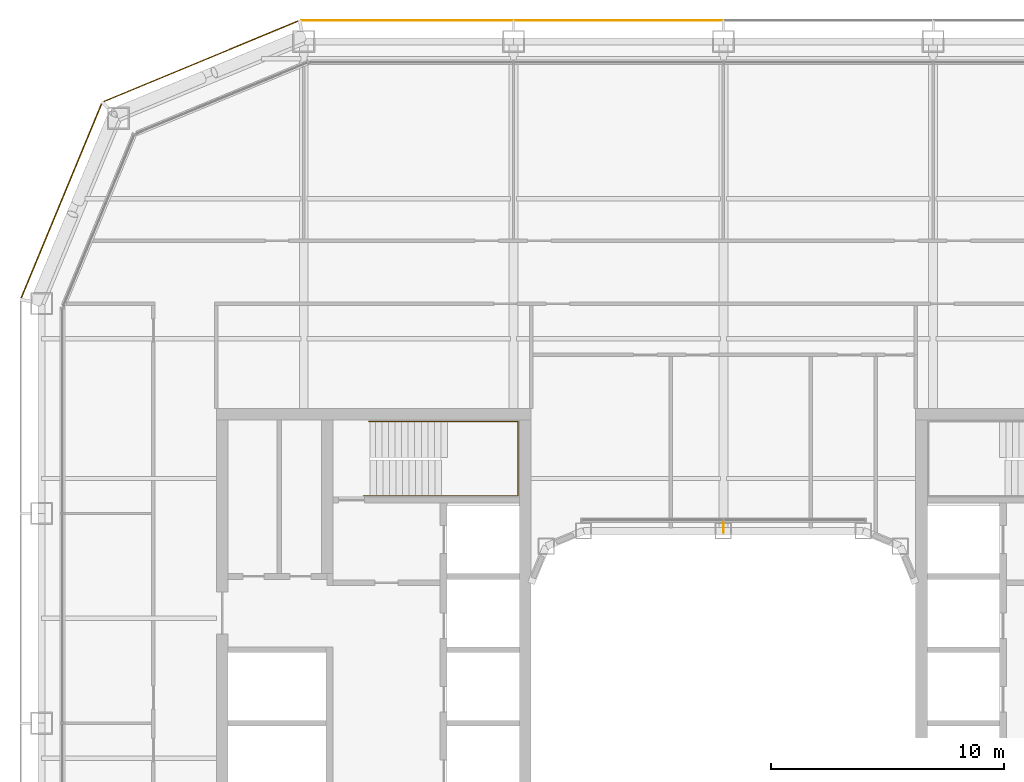
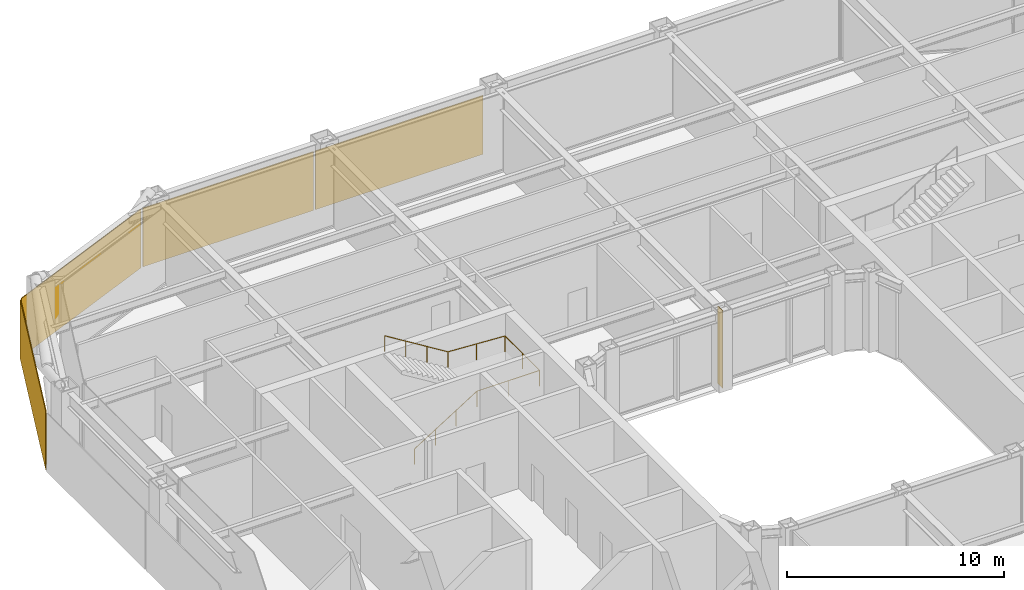
# One storey, part 20 of 21: 4 coverings, 1 railing, 1 shading device.
"""IFC4 building model written with IfcOpenShell, lengths in metres."""

import ifcopenshell
import ifcopenshell.guid

model = None  # the IFC model being written
_history = None  # IfcOwnerHistory: only IFC2X3 demands one
_inside = {}  # id of a spatial element -> (the spatial element, [elements in it])
_under = {}  # id of a project, library or spatial element -> (it, [spatial elements below it])
_declared = {}  # id of a project -> (the project, [libraries it declares])
_typed = {}  # id of a type object -> (the type object, [elements of that type])
_made_of = {}  # id of a material, layer set ... -> (it, [elements and type objects made of it])


def new_model(schema):
    """Start an empty IFC model of exactly this schema.

    Asked for "IFC4X3", IfcOpenShell would pick the latest addendum, in which some entities
    have other attributes; the version numbers below select the first issue.
    IFC2X3 requires an IfcOwnerHistory on every rooted entity: one is made here for all.
    """
    global model, _history
    if schema == "IFC4X3":
        model = ifcopenshell.file(schema_version=(4, 3, 0, 0))
    else:
        model = ifcopenshell.file(schema=schema)
    _inside.clear()
    _under.clear()
    _declared.clear()
    _typed.clear()
    _made_of.clear()
    _history = None
    if model.schema == "IFC2X3":
        org = make("IfcOrganization", Name="unknown")
        user = make(
            "IfcPersonAndOrganization",
            ThePerson=make("IfcPerson", FamilyName="unknown"),
            TheOrganization=org,
        )
        app = make(
            "IfcApplication",
            ApplicationDeveloper=org,
            Version="unknown",
            ApplicationFullName="unknown",
            ApplicationIdentifier="unknown",
        )
        _history = make(
            "IfcOwnerHistory",
            OwningUser=user,
            OwningApplication=app,
            ChangeAction="ADDED",
            CreationDate=0,
        )
    return model


def make(cls, **values):
    """One entity of the class cls with the attributes given. An attribute that is None is left unset."""
    return model.create_entity(
        cls, **{name: value for name, value in values.items() if value is not None}
    )


def rooted(cls, **values):
    """An entity with a GlobalId (a new one), such as an element, a storey or a relation."""
    return make(cls, GlobalId=ifcopenshell.guid.new(), OwnerHistory=_history, **values)


def si_unit(unit_type, name, prefix=None):
    """IfcSIUnit, for example si_unit("LENGTHUNIT", "METRE", prefix="MILLI")."""
    return make("IfcSIUnit", UnitType=unit_type, Prefix=prefix, Name=name)


def assignment(units):
    """IfcUnitAssignment: the units of a project."""
    return None if units is None else make("IfcUnitAssignment", Units=units)


def point(xyz):
    """IfcCartesianPoint."""
    return None if xyz is None else make("IfcCartesianPoint", Coordinates=xyz)


def direction(xyz):
    """IfcDirection."""
    return None if xyz is None else make("IfcDirection", DirectionRatios=xyz)


def frame(location, z_axis=None, x_axis=None):
    """IfcAxis2Placement3D, a coordinate frame: its origin and axes. An axis left out is left unset."""
    return make(
        "IfcAxis2Placement3D",
        Location=point(location),
        Axis=direction(z_axis),
        RefDirection=direction(x_axis),
    )


def frame_2d(location, x_axis=None):
    """IfcAxis2Placement2D, a coordinate frame in the plane: its origin and x axis."""
    return make(
        "IfcAxis2Placement2D", Location=point(location), RefDirection=direction(x_axis)
    )


def origin():
    """The frame at (0, 0, 0) with its axes left unset."""
    return frame((0.0, 0.0, 0.0))


def origin_2d():
    """The frame at (0, 0) in the plane with its x axis left unset."""
    return frame_2d((0.0, 0.0))


def place(relative_to, where):
    """IfcLocalPlacement: puts the frame where relative to a parent placement (None: the world)."""
    return make(
        "IfcLocalPlacement", PlacementRelTo=relative_to, RelativePlacement=where
    )


def context(
    kind, dimensions, precision=None, world=None, true_north=None, identifier=None
):
    """IfcGeometricRepresentationContext, for example the 3D "Model" context."""
    return make(
        "IfcGeometricRepresentationContext",
        ContextIdentifier=identifier,
        ContextType=kind,
        CoordinateSpaceDimension=dimensions,
        Precision=precision,
        WorldCoordinateSystem=world,
        TrueNorth=true_north,
    )


def subcontext(parent, identifier, kind, view, scale=None):
    """IfcGeometricRepresentationSubContext, for example "Body" below "Model"."""
    return make(
        "IfcGeometricRepresentationSubContext",
        ContextIdentifier=identifier,
        ContextType=kind,
        ParentContext=parent,
        TargetScale=scale,
        TargetView=view,
    )


def project(units=None, contexts=None):
    """IfcProject with its units and contexts."""
    return rooted(
        "IfcProject",
        Name="project",
        RepresentationContexts=contexts,
        UnitsInContext=assignment(units),
    )


def spatial(cls, under=None, at=None, **own):
    """A site, building, storey or space (cls), placed at a placement, below another one or the project."""
    s = rooted(cls, ObjectPlacement=at, **own)
    if under is not None:
        _under.setdefault(under.id(), (under, []))[1].append(s)
    return s


def profile(cls, at=None, kind="AREA", **sizes):
    """A parametric profile (cls). Its sizes go by their IFC names, for example OverallWidth=200.0."""
    return make(cls, ProfileType=kind, Position=at, **sizes)


def rectangle(**sizes):
    """IfcRectangleProfileDef."""
    return profile("IfcRectangleProfileDef", **sizes)


def circle(**sizes):
    """IfcCircleProfileDef."""
    return profile("IfcCircleProfileDef", **sizes)


def extrude(swept, where, along, depth):
    """IfcExtrudedAreaSolid: the profile swept, set in the frame where, extruded along a direction by depth."""
    return make(
        "IfcExtrudedAreaSolid",
        SweptArea=swept,
        Position=where,
        ExtrudedDirection=direction(along),
        Depth=depth,
    )


def shape(context_of_items, identifier, shape_type, items):
    """IfcShapeRepresentation: the items that make up one representation, for example the "Body"."""
    return make(
        "IfcShapeRepresentation",
        ContextOfItems=context_of_items,
        RepresentationIdentifier=identifier,
        RepresentationType=shape_type,
        Items=items,
    )


def material(Name=None, Category=None):
    """IfcMaterial."""
    return make("IfcMaterial", Name=Name, Category=Category)


def layer(
    of_material, thickness, ventilated=None, Name=None, Category=None, Priority=None
):
    """IfcMaterialLayer: one layer of a wall or slab, of a material (None: an air gap)."""
    return make(
        "IfcMaterialLayer",
        Material=of_material,
        LayerThickness=thickness,
        IsVentilated=ventilated,
        Name=Name,
        Category=Category,
        Priority=Priority,
    )


def layer_set(layers, Name=None):
    """IfcMaterialLayerSet."""
    return make("IfcMaterialLayerSet", MaterialLayers=layers, LayerSetName=Name)


def made_of(thing, what):
    """Note that an element or type object is made of a material, layer set ...; save() writes the relation."""
    if what is not None:
        _made_of.setdefault(what.id(), (what, []))[1].append(thing)
    return thing


def type_object(cls, material=None, **own):
    """A type object (cls), such as IfcWallType, which elements share."""
    return made_of(rooted(cls, **own), material)


def element(
    cls,
    number,
    at=None,
    inside=None,
    cuts=None,
    type_object=None,
    material=None,
    context=None,
    identifier="Body",
    shape_type=None,
    held_by="IfcProductDefinitionShape",
    body=None,
    shapes=None,
    **own,
):
    """One element of the class cls, such as IfcWall. Its Tag is "e" and its number.

    at: its placement. inside: the storey or other place that contains it. cuts: it is an
    opening in that element (IfcRelVoidsElement). A single representation is given by context,
    identifier, shape_type and body (its items); several are given by shapes. held_by: the class
    of the entity that holds the representations. save() writes the other relations.
    """
    e = rooted(cls, Tag="e%d" % number, ObjectPlacement=at, **own)
    if body is not None:
        shapes = [shape(context, identifier, shape_type, body)]
    if shapes is not None:
        e.Representation = make(held_by, Representations=shapes)
    if inside is not None:
        _inside.setdefault(inside.id(), (inside, []))[1].append(e)
    if cuts is not None:
        rooted(
            "IfcRelVoidsElement", RelatingBuildingElement=cuts, RelatedOpeningElement=e
        )
    if type_object is not None:
        _typed.setdefault(type_object.id(), (type_object, []))[1].append(e)
    return made_of(e, material)


def aggregate(whole, parts):
    """IfcRelAggregates: a whole, such as a stair, and the parts it consists of."""
    return rooted("IfcRelAggregates", RelatingObject=whole, RelatedObjects=parts)


def save(model, path):
    """Write the relations noted so far, then the file.

    IfcRelAggregates (storeys below a building ...), IfcRelContainedInSpatialStructure (elements
    in a storey), IfcRelDefinesByType, IfcRelAssociatesMaterial and IfcRelDeclares: one each for
    every whole, place, type object, material and project.
    """
    for whole, parts in _under.values():
        aggregate(whole, parts)
    for where, things in _inside.values():
        rooted(
            "IfcRelContainedInSpatialStructure",
            RelatedElements=things,
            RelatingStructure=where,
        )
    for kind, things in _typed.values():
        rooted("IfcRelDefinesByType", RelatedObjects=things, RelatingType=kind)
    for what, things in _made_of.values():
        rooted("IfcRelAssociatesMaterial", RelatedObjects=things, RelatingMaterial=what)
    for by, libraries in _declared.values():
        rooted("IfcRelDeclares", RelatingContext=by, RelatedDefinitions=libraries)
    model.write(path)


model = new_model("IFC4")

# Units and contexts
model_context = context("Model", 3, precision=1e-05, world=origin(), true_north=direction((0.0, 1.0)))
body_context = subcontext(model_context, "Body", "Model", "MODEL_VIEW")
ifc_project = project(units=[si_unit("LENGTHUNIT", "METRE"), si_unit("AREAUNIT", "SQUARE_METRE"), si_unit("VOLUMEUNIT", "CUBIC_METRE"), si_unit("PLANEANGLEUNIT", "RADIAN"), si_unit("MASSUNIT", "GRAM", prefix="KILO")], contexts=[model_context])

# Site, building, storey
site_placement = place(None, origin())
site = spatial("IfcSite", under=ifc_project, at=site_placement, CompositionType="ELEMENT")
building_placement = place(site_placement, origin())
building = spatial("IfcBuilding", under=site, at=building_placement, Name="Siwar Civic Tower", CompositionType="ELEMENT")
storey_placement = place(building_placement, frame((0.0, 0.0, 122.699951171875)))
storey = spatial("IfcBuildingStorey", under=building, at=storey_placement, Name="L26", CompositionType="ELEMENT", Elevation=122.699951171875)

# Railing
ifc_material_1 = material(Name="Stainless steel", Category="steel")
railing_type = type_object("IfcRailingType", Name="CORE-STAIR-HANDRAIL", PredefinedType="HANDRAIL", material=ifc_material_1)
railing_placement = place(storey_placement, frame((-15.449951171875, 9.758056640625, 0.173095703125)))
element("IfcRailing", 1, at=railing_placement, inside=storey, type_object=railing_type, Name="Stair handrail ST1", PredefinedType="HANDRAIL", context=body_context, shape_type="SweptSolid", body=[
    extrude(circle(Radius=0.02001953125, at=origin_2d()), frame((0.0, 0.0, 0.8798828125), z_axis=(0.847063342986, 0.0, 0.531491950051), x_axis=(0.0, 1.0, 0.0)), (0.0, 0.0, 1.0), 3.90771484375),
    extrude(circle(Radius=0.02001953125, at=origin_2d()), frame((3.31005859375, 0.0, 2.956787109375), z_axis=(1.0, 0.0, 0.0), x_axis=(0.0, 1.0, 0.0)), (0.0, 0.0, 1.0), 3.331787109375),
    extrude(circle(Radius=0.02001953125, at=origin_2d()), frame((6.641845703125, 0.0, 2.956787109375), z_axis=(0.0, 1.0, 0.0), x_axis=(-1.0, 0.0, 0.0)), (0.0, 0.0, 1.0), 3.183837890625),
    extrude(circle(Radius=0.02001953125, at=origin_2d()), frame((6.641845703125, 3.183837890625, 2.956787109375), z_axis=(-0.99837434197, 0.0, 0.056997134106), x_axis=(0.0, -1.0, 0.0)), (0.0, 0.0, 1.0), 3.036865234375),
    extrude(circle(Radius=0.02001953125, at=origin_2d()), frame((3.60986328125, 3.183837890625, 3.1298828125), z_axis=(-0.850606129759, 0.0, 0.525803396734), x_axis=(0.0, -1.0, 0.0)), (0.0, 0.0, 1.0), 3.949951171875),
    extrude(circle(Radius=0.02001953125, at=origin_2d()), origin(), (0.0, 0.0, 1.0), 0.85986328125),
    extrude(circle(Radius=0.02001953125, at=origin_2d()), frame((1.103271484375, 0.0, 0.6923828125)), (0.0, 0.0, 1.0), 0.85986328125),
    extrude(circle(Radius=0.02001953125, at=origin_2d()), frame((2.206787109375, 0.0, 1.384521484375)), (0.0, 0.0, 1.0), 0.85986328125),
    extrude(circle(Radius=0.02001953125, at=origin_2d()), frame((3.31005859375, 0.0, 2.076904296875)), (0.0, 0.0, 1.0), 0.85986328125),
    extrude(circle(Radius=0.02001953125, at=origin_2d()), frame((4.97607421875, 0.0, 2.076904296875)), (0.0, 0.0, 1.0), 0.85986328125),
    extrude(circle(Radius=0.02001953125, at=origin_2d()), frame((6.641845703125, 0.0, 2.076904296875)), (0.0, 0.0, 1.0), 0.85986328125),
    extrude(circle(Radius=0.02001953125, at=origin_2d()), frame((6.641845703125, 1.591796875, 2.076904296875)), (0.0, 0.0, 1.0), 0.85986328125),
    extrude(circle(Radius=0.02001953125, at=origin_2d()), frame((6.641845703125, 3.183837890625, 2.076904296875)), (0.0, 0.0, 1.0), 0.85986328125),
    extrude(circle(Radius=0.02001953125, at=origin_2d()), frame((5.1259765625, 3.183837890625, 2.16357421875)), (0.0, 0.0, 1.0), 0.85986328125),
    extrude(circle(Radius=0.02001953125, at=origin_2d()), frame((3.60986328125, 3.183837890625, 2.25)), (0.0, 0.0, 1.0), 0.85986328125),
    extrude(circle(Radius=0.02001953125, at=origin_2d()), frame((2.489990234375, 3.183837890625, 2.9423828125)), (0.0, 0.0, 1.0), 0.85986328125),
    extrude(circle(Radius=0.02001953125, at=origin_2d()), frame((1.369873046875, 3.183837890625, 3.634521484375)), (0.0, 0.0, 1.0), 0.85986328125),
    extrude(circle(Radius=0.02001953125, at=origin_2d()), frame((0.25, 3.183837890625, 4.326904296875)), (0.0, 0.0, 1.0), 0.85986328125),
])

# Shading device
ifc_material_2 = material(Name="Aluminium 6063-T6", Category="aluminium")
ifc_layer_1 = layer(ifc_material_2, 0.02001953125)
ifc_layer_set_1 = layer_set([ifc_layer_1], Name="Aluminium 6063-T6")
shading_device_type = type_object("IfcShadingDeviceType", Name="ENV-FIN", PredefinedType="JALOUSIE", material=ifc_layer_set_1)
shading_device_placement = place(storey_placement, frame((0.0, 8.39501953125, 0.0), z_axis=(0.0, 0.0, 1.0), x_axis=(-1.0, 0.0, 0.0)))
element("IfcShadingDevice", 2, at=shading_device_placement, inside=storey, type_object=shading_device_type, Name="SUNSHADE fin WN 1", PredefinedType="JALOUSIE", context=body_context, shape_type="SweptSolid", body=[
    extrude(rectangle(XDim=0.02001953125, YDim=0.449951171875, at=origin_2d()), origin(), (0.0, 0.0, 1.0), 4.35009765625),
])

# Coverings
ifc_material_3 = material(Name="Perforated aluminium cassette, pale metal", Category="aluminium")
ifc_layer_2 = layer(ifc_material_3, 0.0400390625)
ifc_layer_set_2 = layer_set([ifc_layer_2], Name="Perforated aluminium cassette, pale metal")
covering_type_1 = type_object("IfcCoveringType", Name="ENV-OUTER SKIN OS-1", PredefinedType="CLADDING", material=ifc_layer_set_2)
covering_1_placement = place(storey_placement, frame((-4.5, 30.14990234375, -0.14990234375), z_axis=(0.0, 0.0, 1.0), x_axis=(-1.0, 0.0, 0.0)))
element("IfcCovering", 3, at=covering_1_placement, inside=storey, type_object=covering_type_1, Name="OUTER SKIN OS-1 N 3", PredefinedType="CLADDING", context=body_context, shape_type="SweptSolid", body=[
    extrude(rectangle(XDim=8.89990234375, YDim=0.0400390625, at=origin_2d()), origin(), (0.0, 0.0, 1.0), 3.300048828125),
])
covering_2_placement = place(storey_placement, frame((-13.57958984375, 30.14990234375, -0.14990234375), z_axis=(0.0, 0.0, 1.0), x_axis=(-1.0, 0.0, 0.0)))
element("IfcCovering", 4, at=covering_2_placement, inside=storey, type_object=covering_type_1, Name="OUTER SKIN OS-1 N 4", PredefinedType="CLADDING", context=body_context, shape_type="SweptSolid", body=[
    extrude(rectangle(XDim=9.05908203125, YDim=0.0400390625, at=origin_2d()), origin(), (0.0, 0.0, 1.0), 3.300048828125),
])
covering_3_placement = place(storey_placement, frame((-22.411376953125, 28.39697265625, -0.14990234375), z_axis=(0.0, 0.0, 1.0), x_axis=(-0.923879532511, -0.382683432365, 0.0)))
element("IfcCovering", 5, at=covering_3_placement, inside=storey, type_object=covering_type_1, Name="OUTER SKIN OS-1 NW1 1", PredefinedType="CLADDING", context=body_context, shape_type="SweptSolid", body=[
    extrude(rectangle(XDim=9.022216796875, YDim=0.0400390625, at=origin_2d()), origin(), (0.0, 0.0, 1.0), 3.300048828125),
])
ifc_material_4 = material(Name="Perforated aluminium cassette, pale metal", Category="aluminium")
ifc_layer_3 = layer(ifc_material_4, 0.044921875)
ifc_layer_set_3 = layer_set([ifc_layer_3], Name="Perforated aluminium cassette, pale metal")
covering_type_2 = type_object("IfcCoveringType", Name="ENV-OUTER SKIN OS-2", PredefinedType="CLADDING", material=ifc_layer_set_3)
covering_4_placement = place(storey_placement, frame((-28.39697265625, 22.411376953125, -0.14990234375), z_axis=(0.0, 0.0, 1.0), x_axis=(-0.382683432365, -0.923879532511, 0.0)))
element("IfcCovering", 6, at=covering_4_placement, inside=storey, type_object=covering_type_2, Name="OUTER SKIN OS-2 NW2 1", PredefinedType="CLADDING", context=body_context, shape_type="SweptSolid", body=[
    extrude(rectangle(XDim=9.022216796875, YDim=0.044921875, at=origin_2d()), origin(), (0.0, 0.0, 1.0), 3.300048828125),
])

save(model, "model.ifc")
